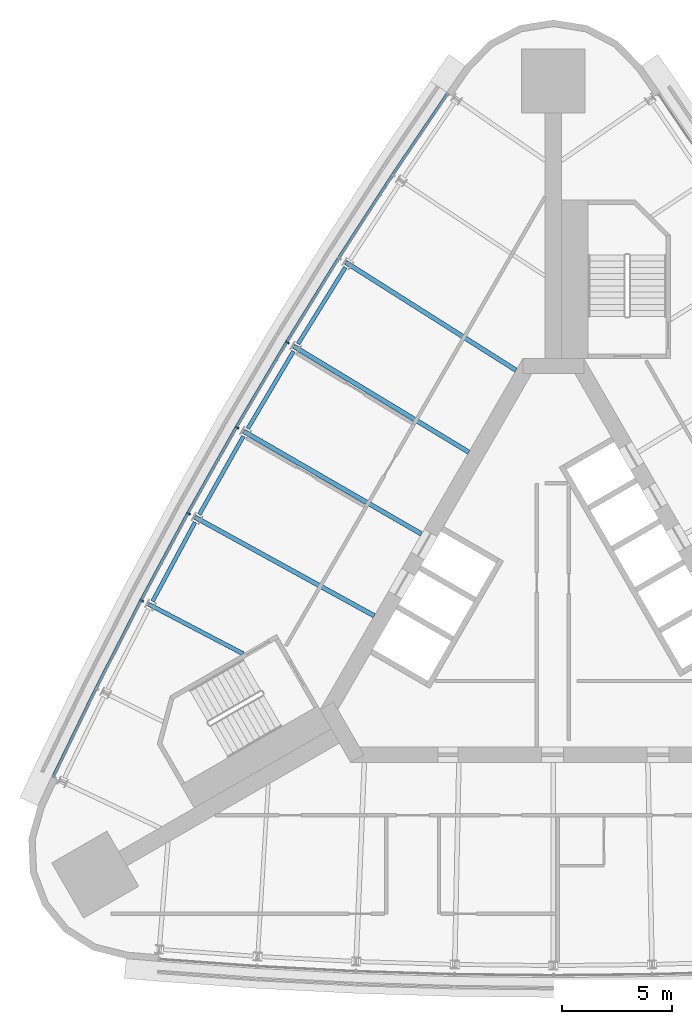
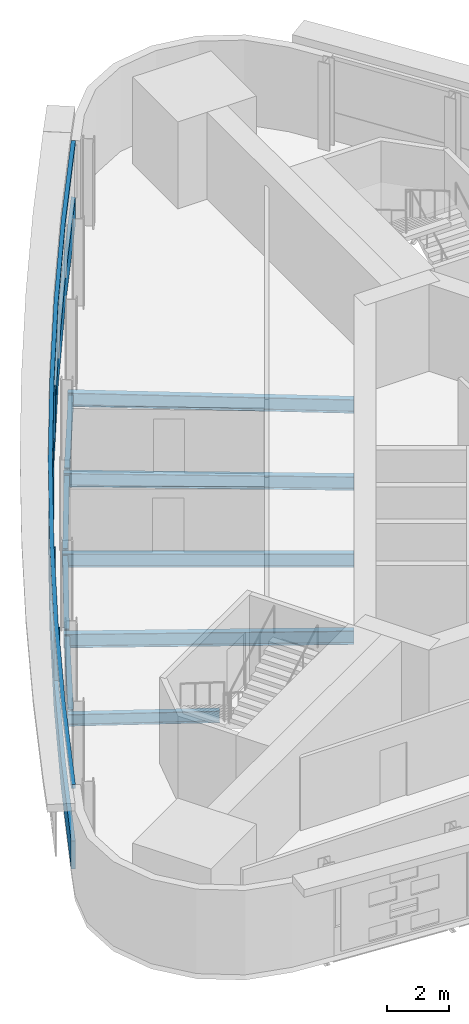
# One storey, part 4 of 13: 9 beams, 6 members, 1 element without a shape of its own.
"""IFC4 building model written with IfcOpenShell, lengths in metres."""

from ifc_helpers import new_model, si_unit, direction, frame, origin, origin_2d, place, context, subcontext, project, spatial, polyline, rectangle, i_section, outline, extrude, material, material_profile, profile_set, type_object, element, aggregate, save


model = new_model("IFC4")

# Units and contexts
model_context = context("Model", 3, precision=1e-05, world=origin(), true_north=direction((0.0, 1.0)))
body_context = subcontext(model_context, "Body", "Model", "MODEL_VIEW")
ifc_project = project(units=[si_unit("LENGTHUNIT", "METRE"), si_unit("AREAUNIT", "SQUARE_METRE"), si_unit("VOLUMEUNIT", "CUBIC_METRE"), si_unit("PLANEANGLEUNIT", "RADIAN"), si_unit("MASSUNIT", "GRAM", prefix="KILO")], contexts=[model_context])

# Site, building, storey
site_placement = place(None, origin())
site = spatial("IfcSite", under=ifc_project, at=site_placement, CompositionType="ELEMENT")
building_placement = place(site_placement, origin())
building = spatial("IfcBuilding", under=site, at=building_placement, Name="Noor Cloister Tower", CompositionType="ELEMENT")
storey_placement = place(building_placement, frame((0.0, 0.0, 147.300048828125)))
storey = spatial("IfcBuildingStorey", under=building, at=storey_placement, Name="L37", CompositionType="ELEMENT", Elevation=147.300048828125)

# Curtain wall, members
ifc_material_1 = material(Name="Aluminium 6063-T6 anodised", Category="aluminium")
curtain_wall_type = type_object("IfcCurtainWallType", Name="Ribbon curtain wall, upper tower CW5", PredefinedType="NOTDEFINED", material=ifc_material_1)
curtain_wall_placement = place(storey_placement, origin())
curtain_wall = element("IfcCurtainWall", 1, at=curtain_wall_placement, inside=storey, type_object=curtain_wall_type, Name="CW5 L37 NW run 1", PredefinedType="NOTDEFINED")
ifc_material_2 = material(Name="Aluminium 6063-T6 anodised", Category="aluminium")
member_type_1 = type_object("IfcMemberType", Name="Head transom CW5 150", PredefinedType="USERDEFINED", material=ifc_material_2)
member_1_placement = place(storey_placement, frame((0.0, 0.0, 3.14990234375)))
member_1 = element("IfcMember", 2, at=member_1_placement, type_object=member_type_1, Name="CW5 head transom", ObjectType="TRANSOM", PredefinedType="USERDEFINED", context=body_context, shape_type="SweptSolid", body=[
    extrude(outline(polyline([(-4.853271484375, 23.5634765625), (-7.376953125, 19.837646484375), (-9.823486328125, 16.06103515625), (-12.1923828125, 12.235107421875), (-14.482177734375, 8.361328125), (-16.69189453125, 4.44140625), (-18.821044921875, 0.47705078125), (-20.868408203125, -3.5302734375), (-22.833251953125, -7.57861328125), (-22.707275390625, -7.6396484375), (-20.7431640625, -3.5927734375), (-18.697021484375, 0.411865234375), (-16.5693359375, 4.373779296875), (-14.36083984375, 8.291259765625), (-12.072509765625, 12.16259765625), (-9.705322265625, 15.986083984375), (-7.26025390625, 19.76025390625), (-4.7373046875, 23.48486328125), (-4.853271484375, 23.5634765625)])), origin(), (0.0, 0.0, 1.0), 0.150146484375),
])
ifc_material_3 = material(Name="Aluminium 6063-T6 anodised", Category="aluminium")
ifc_material_profile_1 = material_profile(ifc_material_3, rectangle(XDim=0.179931640625, YDim=0.070068359375, at=origin_2d()), Name="180 x 70 mullion")
ifc_profile_set_1 = profile_set([ifc_material_profile_1], Name="Aluminium 6063-T6 anodised")
member_type_2 = type_object("IfcMemberType", Name="Mullion CW5 70 x 180", PredefinedType="MULLION", material=ifc_profile_set_1)
member_2_placement = place(storey_placement, frame((-12.106689453125, 12.183349609375, 1.099853515625), z_axis=(0.0, 0.0, 1.0), x_axis=(0.855592397057, -0.517650123248, 0.0)))
member_2 = element("IfcMember", 3, at=member_2_placement, type_object=member_type_2, Name="CW5 mullion 4", PredefinedType="MULLION", context=body_context, shape_type="SweptSolid", body=[
    extrude(rectangle(XDim=0.179931640625, YDim=0.070068359375, at=origin_2d()), origin(), (0.0, 0.0, 1.0), 2.050048828125),
])
member_3_placement = place(storey_placement, frame((-14.3955078125, 8.311279296875, 1.099853515625), z_axis=(0.0, 0.0, 1.0), x_axis=(0.866025403784, -0.5, 0.0)))
member_3 = element("IfcMember", 4, at=member_3_placement, type_object=member_type_2, Name="CW5 mullion 5", PredefinedType="MULLION", context=body_context, shape_type="SweptSolid", body=[
    extrude(rectangle(XDim=0.179931640625, YDim=0.070068359375, at=origin_2d()), origin(), (0.0, 0.0, 1.0), 2.050048828125),
])
member_4_placement = place(storey_placement, frame((-16.6044921875, 4.39306640625, 1.099853515625), z_axis=(0.0, 0.0, 1.0), x_axis=(0.876094355533, -0.482139689512, 0.0)))
member_4 = element("IfcMember", 5, at=member_4_placement, type_object=member_type_2, Name="CW5 mullion 6", PredefinedType="MULLION", context=body_context, shape_type="SweptSolid", body=[
    extrude(rectangle(XDim=0.179931640625, YDim=0.070068359375, at=origin_2d()), origin(), (0.0, 0.0, 1.0), 2.050048828125),
])
member_5_placement = place(storey_placement, frame((-18.732421875, 0.4306640625, 1.099853515625), z_axis=(0.0, 0.0, 1.0), x_axis=(0.885795011473, -0.464076715262, 0.0)))
member_5 = element("IfcMember", 6, at=member_5_placement, type_object=member_type_2, Name="CW5 mullion 7", PredefinedType="MULLION", context=body_context, shape_type="SweptSolid", body=[
    extrude(rectangle(XDim=0.179931640625, YDim=0.070068359375, at=origin_2d()), origin(), (0.0, 0.0, 1.0), 2.050048828125),
])

# Beams
ifc_material_4 = material(Name="Steel ASTM A992 Gr 50", Category="steel")
ifc_material_profile_2 = material_profile(ifc_material_4, i_section(OverallWidth=0.19091796875, OverallDepth=0.45703125, WebThickness=0.009033203125, FlangeThickness=0.014404296875, FilletRadius=0.01025390625, at=origin_2d()), Name="W460x74")
ifc_profile_set_2 = profile_set([ifc_material_profile_2], Name="Steel ASTM A992 Gr 50")
beam_type_1 = type_object("IfcBeamType", Name="Radial beam W460x74", PredefinedType="BEAM", material=ifc_profile_set_2)
beam_1_placement = place(storey_placement, frame((-18.4287109375, 0.271484375, -0.428466796875), z_axis=(0.885783447406, -0.464098787222, 0.0), x_axis=(0.464098787222, 0.885783447406, 0.0)))
element("IfcBeam", 7, at=beam_1_placement, inside=storey, type_object=beam_type_1, Name="Radial beam NW 07 L37", PredefinedType="BEAM", context=body_context, shape_type="SweptSolid", body=[
    extrude(i_section(OverallWidth=0.19091796875, OverallDepth=0.45703125, WebThickness=0.009033203125, FlangeThickness=0.014404296875, FilletRadius=0.01025390625, at=origin_2d()), origin(), (0.0, 0.0, 1.0), 4.86962890625),
])
ifc_material_5 = material(Name="Steel ASTM A992 Gr 50", Category="steel")
ifc_material_profile_3 = material_profile(ifc_material_5, i_section(OverallWidth=0.208984375, OverallDepth=0.532958984375, WebThickness=0.01025390625, FlangeThickness=0.015625, FilletRadius=0.0126953125, at=origin_2d()), Name="W530x92")
ifc_profile_set_3 = profile_set([ifc_material_profile_3], Name="Steel ASTM A992 Gr 50")
beam_type_2 = type_object("IfcBeamType", Name="Radial beam W530x92", PredefinedType="BEAM", material=ifc_profile_set_3)
beam_2_placement = place(storey_placement, frame((-9.449462890625, 15.823974609375, -0.466552734375), z_axis=(0.84480784903, -0.535069806863, 0.0), x_axis=(0.535069806863, 0.84480784903, 0.0)))
element("IfcBeam", 8, at=beam_2_placement, inside=storey, type_object=beam_type_2, Name="Radial beam NW 03 L37", PredefinedType="BEAM", context=body_context, shape_type="SweptSolid", body=[
    extrude(i_section(OverallWidth=0.208984375, OverallDepth=0.532958984375, WebThickness=0.01025390625, FlangeThickness=0.015625, FilletRadius=0.0126953125, at=origin_2d()), origin(), (0.0, 0.0, 1.0), 9.1748046875),
])
beam_3_placement = place(storey_placement, frame((-11.813232421875, 12.005615234375, -0.466552734375), z_axis=(0.855591496874, -0.517651611102, 0.0), x_axis=(0.517651611102, 0.855591496874, 0.0)))
element("IfcBeam", 9, at=beam_3_placement, inside=storey, type_object=beam_type_2, Name="Radial beam NW 04 L37", PredefinedType="BEAM", context=body_context, shape_type="SweptSolid", body=[
    extrude(i_section(OverallWidth=0.208984375, OverallDepth=0.532958984375, WebThickness=0.01025390625, FlangeThickness=0.015625, FilletRadius=0.0126953125, at=origin_2d()), origin(), (0.0, 0.0, 1.0), 9.30712890625),
])
beam_4_placement = place(storey_placement, frame((-14.098388671875, 8.1396484375, -0.466552734375), z_axis=(0.866028634529, -0.499994404144, 0.0), x_axis=(0.499994404144, 0.866028634529, 0.0)))
element("IfcBeam", 10, at=beam_4_placement, inside=storey, type_object=beam_type_2, Name="Radial beam NW 05 L37", PredefinedType="BEAM", context=body_context, shape_type="SweptSolid", body=[
    extrude(i_section(OverallWidth=0.208984375, OverallDepth=0.532958984375, WebThickness=0.01025390625, FlangeThickness=0.015625, FilletRadius=0.0126953125, at=origin_2d()), origin(), (0.0, 0.0, 1.0), 9.35107421875),
])
beam_5_placement = place(storey_placement, frame((-16.303955078125, 4.227783203125, -0.466552734375), z_axis=(0.876099025266, -0.48213120406, 0.0), x_axis=(0.48213120406, 0.876099025266, 0.0)))
element("IfcBeam", 11, at=beam_5_placement, inside=storey, type_object=beam_type_2, Name="Radial beam NW 06 L37", PredefinedType="BEAM", context=body_context, shape_type="SweptSolid", body=[
    extrude(i_section(OverallWidth=0.208984375, OverallDepth=0.532958984375, WebThickness=0.01025390625, FlangeThickness=0.015625, FilletRadius=0.0126953125, at=origin_2d()), origin(), (0.0, 0.0, 1.0), 9.30712890625),
])

# Member
ifc_material_6 = material(Name="Aluminium 6063-T6 anodised", Category="aluminium")
member_type_3 = type_object("IfcMemberType", Name="Sill transom CW5 1100", PredefinedType="USERDEFINED", material=ifc_material_6)
member_6_placement = place(storey_placement, origin())
member_6 = element("IfcMember", 12, at=member_6_placement, type_object=member_type_3, Name="CW5 sill transom", ObjectType="TRANSOM", PredefinedType="USERDEFINED", context=body_context, shape_type="SweptSolid", body=[
    extrude(outline(polyline([(-4.853271484375, 23.5634765625), (-7.376953125, 19.837646484375), (-9.823486328125, 16.06103515625), (-12.1923828125, 12.235107421875), (-14.482177734375, 8.361328125), (-16.69189453125, 4.44140625), (-18.821044921875, 0.47705078125), (-20.868408203125, -3.5302734375), (-22.833251953125, -7.57861328125), (-22.707275390625, -7.6396484375), (-20.7431640625, -3.5927734375), (-18.697021484375, 0.411865234375), (-16.5693359375, 4.373779296875), (-14.36083984375, 8.291259765625), (-12.072509765625, 12.16259765625), (-9.705322265625, 15.986083984375), (-7.26025390625, 19.76025390625), (-4.7373046875, 23.48486328125), (-4.853271484375, 23.5634765625)])), origin(), (0.0, 0.0, 1.0), 1.099853515625),
])

aggregate(curtain_wall, [member_2, member_3, member_4, member_5, member_6, member_1])

# Beams
ifc_material_7 = material(Name="Steel ASTM A992 Gr 50", Category="steel")
ifc_material_profile_4 = material_profile(ifc_material_7, i_section(OverallWidth=0.177978515625, OverallDepth=0.406005859375, WebThickness=0.0078125, FlangeThickness=0.0126953125, FilletRadius=0.01025390625, at=origin_2d()), Name="W410x60")
ifc_profile_set_4 = profile_set([ifc_material_profile_4], Name="Steel ASTM A992 Gr 50")
beam_type_3 = type_object("IfcBeamType", Name="Spandrel beam W410x60", PredefinedType="SPANDREL", material=ifc_profile_set_4)
beam_6_placement = place(storey_placement, frame((-9.4638671875, 15.59716796875, -0.403076171875), z_axis=(-0.526393660697, -0.850240974065, 0.0), x_axis=(0.850240974065, -0.526393660697, 0.0)))
element("IfcBeam", 13, at=beam_6_placement, inside=storey, type_object=beam_type_3, Name="Spandrel beam NW 03 L37", PredefinedType="SPANDREL", context=body_context, shape_type="SweptSolid", body=[
    extrude(i_section(OverallWidth=0.177978515625, OverallDepth=0.406005859375, WebThickness=0.0078125, FlangeThickness=0.0126953125, FilletRadius=0.01025390625, at=origin_2d()), origin(), (0.0, 0.0, 1.0), 4.08984375),
])
for number, where, z_axis, x_axis, name in (
    (14, (-11.8232421875, 11.778564453125, -0.403076171875), (-0.508866071809, -0.860845701018, 0.0), (0.860845701018, -0.508866071809, 0.0), "Spandrel beam NW 04 L37"),
    (15, (-14.103759765625, 7.912353515625, -0.403076171875), (-0.491122612788, -0.871090454091, 0.0), (0.871090454091, -0.491122612788, 0.0), "Spandrel beam NW 05 L37"),
):
    element("IfcBeam", number, at=place(storey_placement, frame(where, z_axis=z_axis, x_axis=x_axis)), inside=storey, type_object=beam_type_3, Name=name, PredefinedType="SPANDREL", context=body_context, shape_type="SweptSolid", body=[
        extrude(i_section(OverallWidth=0.177978515625, OverallDepth=0.406005859375, WebThickness=0.0078125, FlangeThickness=0.0126953125, FilletRadius=0.01025390625, at=origin_2d()), origin(), (0.0, 0.0, 1.0), 4.089599609375),
    ])
beam_7_placement = place(storey_placement, frame((-16.304443359375, 4.00048828125, -0.403076171875), z_axis=(-0.473145514106, -0.880984291847, 0.0), x_axis=(0.880984291847, -0.473145514106, 0.0)))
element("IfcBeam", 16, at=beam_7_placement, inside=storey, type_object=beam_type_3, Name="Spandrel beam NW 06 L37", PredefinedType="SPANDREL", context=body_context, shape_type="SweptSolid", body=[
    extrude(i_section(OverallWidth=0.177978515625, OverallDepth=0.406005859375, WebThickness=0.0078125, FlangeThickness=0.0126953125, FilletRadius=0.01025390625, at=origin_2d()), origin(), (0.0, 0.0, 1.0), 4.08984375),
])

save(model, "model.ifc")
